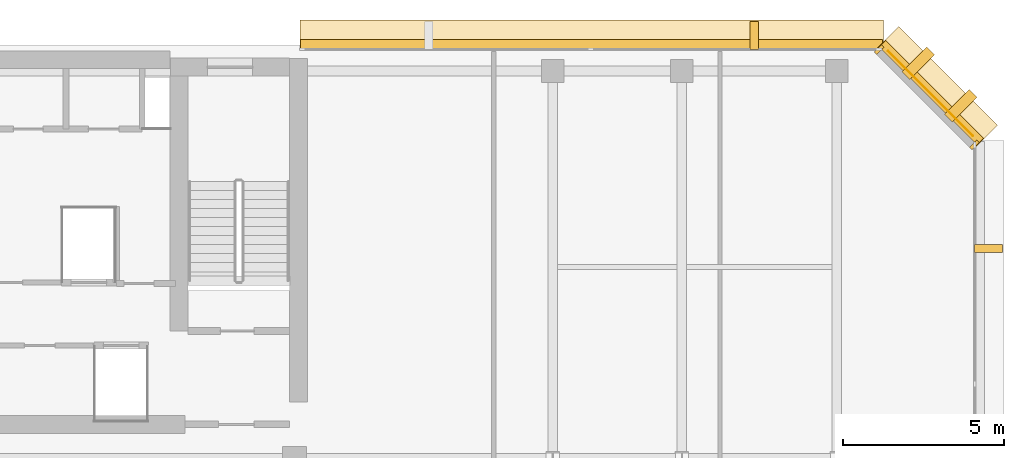
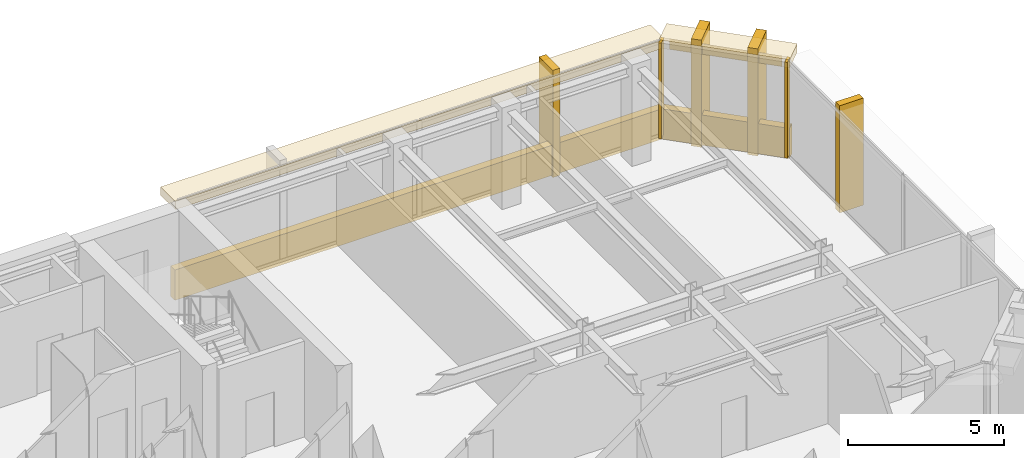
# One storey, part 12 of 12: 11 coverings.
"""IFC4 building model written with IfcOpenShell, lengths in metres."""

from ifc_helpers import new_model, si_unit, direction, frame, origin, origin_2d, place, context, subcontext, project, spatial, rectangle, extrude, material, layer, layer_set, type_object, element, save


model = new_model("IFC4")

# Units and contexts
model_context = context("Model", 3, precision=1e-05, world=origin(), true_north=direction((0.0, 1.0)))
body_context = subcontext(model_context, "Body", "Model", "MODEL_VIEW")
ifc_project = project(units=[si_unit("LENGTHUNIT", "METRE"), si_unit("AREAUNIT", "SQUARE_METRE"), si_unit("VOLUMEUNIT", "CUBIC_METRE"), si_unit("PLANEANGLEUNIT", "RADIAN"), si_unit("MASSUNIT", "GRAM", prefix="KILO")], contexts=[model_context])

# Site, building, storey
site_placement = place(None, origin())
site = spatial("IfcSite", under=ifc_project, at=site_placement, CompositionType="ELEMENT")
building_placement = place(site_placement, origin())
building = spatial("IfcBuilding", under=site, at=building_placement, Name="Kefirva Bronze Tower", CompositionType="ELEMENT")
storey_placement = place(building_placement, frame((0.0, 0.0, 296.010009765625)))
storey = spatial("IfcBuildingStorey", under=building, at=storey_placement, Name="L72", CompositionType="ELEMENT", Elevation=296.010009765625)

# Coverings
ifc_material = material(Name="Bronze anodised aluminium", Category="aluminium")
ifc_layer_1 = layer(ifc_material, 0.02001953125, Name="Bronze anodised aluminium")
ifc_layer_set_1 = layer_set([ifc_layer_1], Name="Bronze anodised aluminium")
covering_type_1 = type_object("IfcCoveringType", Name="Anodised Bronze Spandrel Cladding 20mm", PredefinedType="CLADDING", material=ifc_layer_set_1)
covering_1_placement = place(storey_placement, frame((42.906982421875, 44.507080078125, 3.320068359375), z_axis=(0.0, 0.0, 1.0), x_axis=(-0.707106781187, 0.707106781187, 0.0)))
element("IfcCovering", 1, at=covering_1_placement, inside=storey, type_object=covering_type_1, Name="L72 Bronze Spandrel Cladding 8", PredefinedType="CLADDING", context=body_context, shape_type="SweptSolid", body=[
    extrude(rectangle(XDim=3.719482421875, YDim=0.02001953125, at=origin_2d()), origin(), (0.0, 0.0, 1.0), 0.39990234375),
])
for number, where, z_axis, x_axis, name in (
    (2, (44.26220703125, 42.91162109375, 0.0), (0.0, 0.0, 1.0), (-0.707106781187, 0.707106781187, 0.0), "L72 Facade Joint Closure Panel 8S"),
    (3, (41.311767578125, 45.862060546875, 0.0), (0.0, 0.0, 1.0), (-0.707106781187, 0.707106781187, 0.0), "L72 Facade Joint Closure Panel 8E"),
):
    element("IfcCovering", number, at=place(storey_placement, frame(where, z_axis=z_axis, x_axis=x_axis)), inside=storey, type_object=covering_type_1, Name=name, PredefinedType="CLADDING", context=body_context, shape_type="SweptSolid", body=[
        extrude(rectangle(XDim=0.10009765625, YDim=0.320068359375, at=origin_2d()), origin(), (0.0, 0.0, 1.0), 3.739990234375),
    ])
covering_2_placement = place(storey_placement, frame((42.92822265625, 44.5283203125, -0.16015625), z_axis=(0.0, 0.0, 1.0), x_axis=(-0.707106781187, 0.707106781187, 0.0)))
element("IfcCovering", 4, at=covering_2_placement, inside=storey, type_object=covering_type_1, Name="L72 Streamline Horizontal Spandrel Band 11", PredefinedType="CLADDING", context=body_context, shape_type="SweptSolid", body=[
    extrude(rectangle(XDim=4.28271484375, YDim=0.280029296875, at=origin_2d()), origin(), (0.0, 0.0, 1.0), 1.179931640625),
])
covering_3_placement = place(storey_placement, frame((32.402587890625, 46.0400390625, -0.16015625), z_axis=(0.0, 0.0, 1.0), x_axis=(-1.0, 0.0, 0.0)))
element("IfcCovering", 5, at=covering_3_placement, inside=storey, type_object=covering_type_1, Name="L72 Streamline Horizontal Spandrel Band 12", PredefinedType="CLADDING", context=body_context, shape_type="SweptSolid", body=[
    extrude(rectangle(XDim=18.034912109375, YDim=0.280029296875, at=origin_2d()), origin(), (0.0, 0.0, 1.0), 1.179931640625),
])
ifc_layer_2 = layer(ifc_material, 0.179931640625, Name="Bronze anodised aluminium")
ifc_layer_set_2 = layer_set([ifc_layer_2], Name="Bronze anodised aluminium")
covering_type_2 = type_object("IfcCoveringType", Name="Streamline Bronze Sunshade Eyebrow Cladding 180mm", PredefinedType="CLADDING", material=ifc_layer_set_2)
covering_4_placement = place(storey_placement, frame((43.119140625, 44.71923828125, 3.419921875), z_axis=(0.0, 0.0, 1.0), x_axis=(-0.707106781187, 0.707106781187, 0.0)))
element("IfcCovering", 6, at=covering_4_placement, inside=storey, type_object=covering_type_2, Name="L72 Streamline Bronze Sunshade Eyebrow 11", PredefinedType="CLADDING", context=body_context, shape_type="SweptSolid", body=[
    extrude(rectangle(XDim=4.322509765625, YDim=0.93994140625, at=origin_2d()), origin(), (0.0, 0.0, 1.0), 0.320068359375),
])
covering_5_placement = place(storey_placement, frame((32.402587890625, 46.31005859375, 3.419921875), z_axis=(0.0, 0.0, 1.0), x_axis=(-1.0, 0.0, 0.0)))
element("IfcCovering", 7, at=covering_5_placement, inside=storey, type_object=covering_type_2, Name="L72 Streamline Bronze Sunshade Eyebrow 12", PredefinedType="CLADDING", context=body_context, shape_type="SweptSolid", body=[
    extrude(rectangle(XDim=18.074951171875, YDim=0.93994140625, at=origin_2d()), origin(), (0.0, 0.0, 1.0), 0.320068359375),
])
ifc_layer_3 = layer(ifc_material, 0.260009765625, Name="Bronze anodised aluminium")
ifc_layer_set_3 = layer_set([ifc_layer_3], Name="Bronze anodised aluminium")
covering_type_3 = type_object("IfcCoveringType", Name="Unbroken Bronze Buttress Fin Cladding 260mm", PredefinedType="CLADDING", material=ifc_layer_set_3)
covering_6_placement = place(storey_placement, frame((44.699951171875, 39.699951171875, -0.22021484375), z_axis=(0.0, 0.0, 1.0), x_axis=(0.0, 1.0, 0.0)))
element("IfcCovering", 8, at=covering_6_placement, inside=storey, type_object=covering_type_3, Name="L72 Unbroken Vertical Bronze Rib Fin 14", PredefinedType="CLADDING", context=body_context, shape_type="SweptSolid", body=[
    extrude(rectangle(XDim=0.260009765625, YDim=0.8798828125, at=origin_2d()), origin(), (0.0, 0.0, 1.0), 4.179931640625),
])
for number, where, z_axis, x_axis, name in (
    (9, (43.8427734375, 44.122802734375, -0.22021484375), (0.0, 0.0, 1.0), (-0.707106781187, 0.707106781187, 0.0), "L72 Chamfered Corner Buttress Fin Cladding 15"),
    (10, (42.522705078125, 45.44287109375, -0.22021484375), (0.0, 0.0, 1.0), (-0.707106781187, 0.707106781187, 0.0), "L72 Chamfered Corner Buttress Fin Cladding 16"),
):
    element("IfcCovering", number, at=place(storey_placement, frame(where, z_axis=z_axis, x_axis=x_axis)), inside=storey, type_object=covering_type_3, Name=name, PredefinedType="CLADDING", context=body_context, shape_type="SweptSolid", body=[
        extrude(rectangle(XDim=0.340087890625, YDim=1.080078125, at=origin_2d()), origin(), (0.0, 0.0, 1.0), 4.179931640625),
    ])
covering_7_placement = place(storey_placement, frame((37.441162109375, 46.300048828125, -0.22021484375), z_axis=(0.0, 0.0, 1.0), x_axis=(-1.0, 0.0, 0.0)))
element("IfcCovering", 11, at=covering_7_placement, inside=storey, type_object=covering_type_3, Name="L72 Unbroken Vertical Bronze Rib Fin 17", PredefinedType="CLADDING", context=body_context, shape_type="SweptSolid", body=[
    extrude(rectangle(XDim=0.260009765625, YDim=0.8798828125, at=origin_2d()), origin(), (0.0, 0.0, 1.0), 4.179931640625),
])

save(model, "model.ifc")
